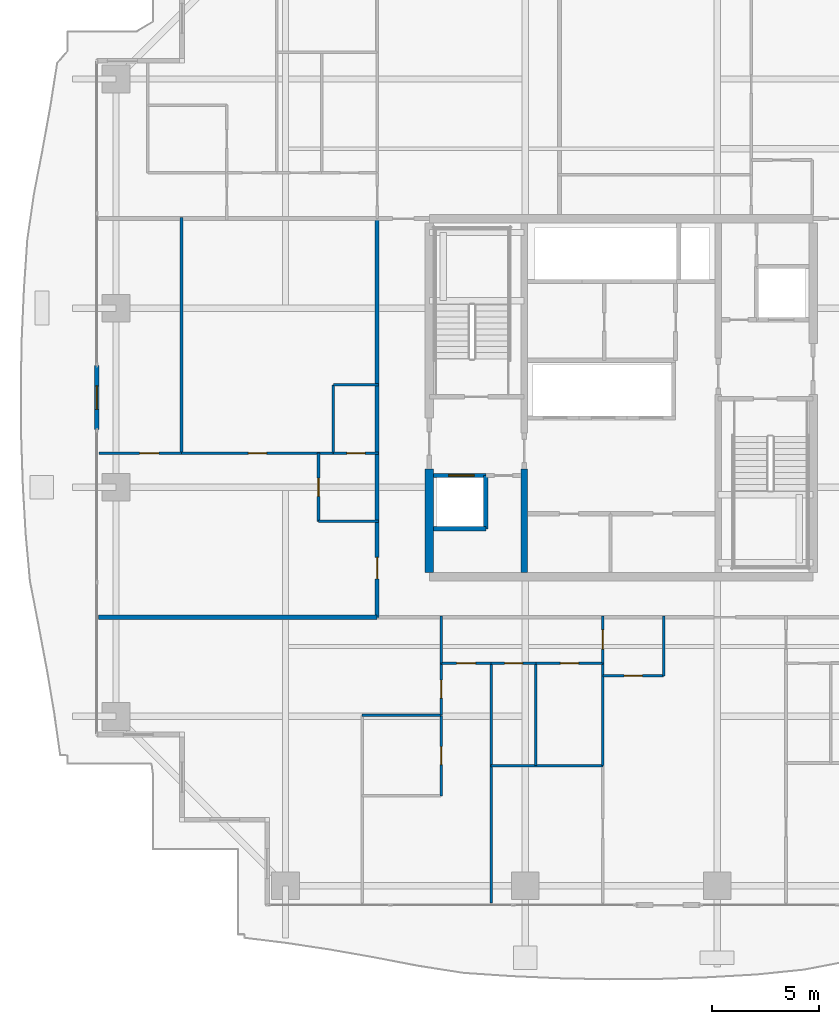
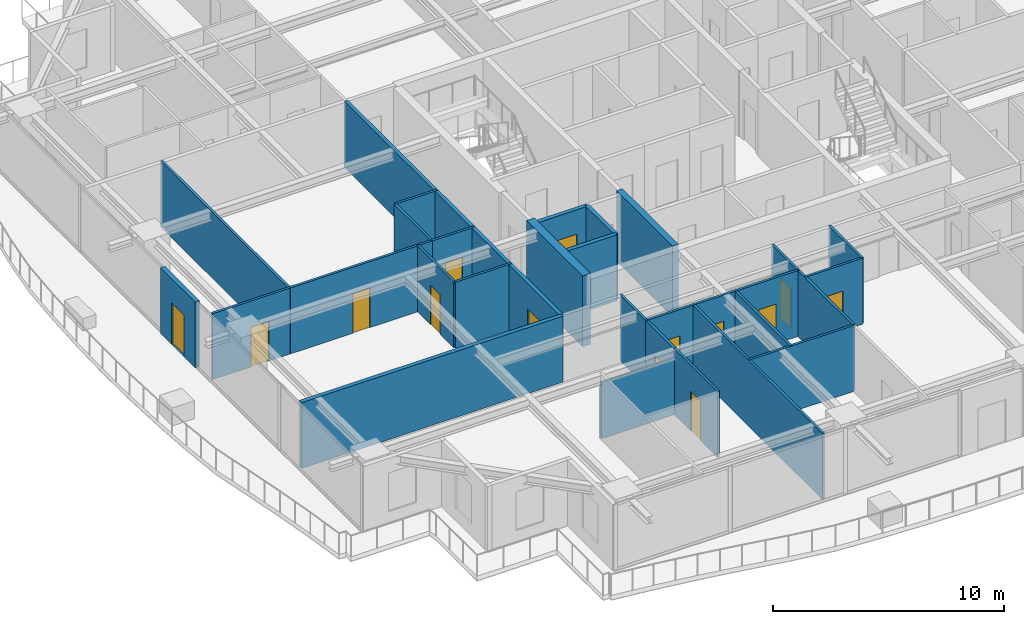
# One storey, part 24 of 34: 30 walls, 14 doors, 14 openings.
"""IFC4 building model written with IfcOpenShell, lengths in metres."""

from ifc_helpers import new_model, si_unit, direction, frame, frame_2d, origin, place, context, subcontext, project, spatial, rectangle, extrude, source, transform, mapped, material, layer, layer_set, type_object, element, fill, save


model = new_model("IFC4")

# Units and contexts
model_context = context("Model", 3, precision=1e-05, world=origin(), true_north=direction((0.0, 1.0)))
body_context = subcontext(model_context, "Body", "Model", "MODEL_VIEW")
ifc_project = project(units=[si_unit("LENGTHUNIT", "METRE"), si_unit("AREAUNIT", "SQUARE_METRE"), si_unit("VOLUMEUNIT", "CUBIC_METRE"), si_unit("PLANEANGLEUNIT", "RADIAN"), si_unit("MASSUNIT", "GRAM", prefix="KILO")], contexts=[model_context])

# Site, building, storey
site_placement = place(None, origin())
site = spatial("IfcSite", under=ifc_project, at=site_placement, CompositionType="ELEMENT")
building_placement = place(site_placement, origin())
building = spatial("IfcBuilding", under=site, at=building_placement, Name="Serunith Strait Residences", CompositionType="ELEMENT")
storey_placement = place(building_placement, frame((0.0, 0.0, 187.64990234375)))
storey = spatial("IfcBuildingStorey", under=building, at=storey_placement, Name="L47", CompositionType="ELEMENT", Elevation=187.64990234375)

# Wall, opening, door
ifc_material_1 = material(Name="Pale-Champagne Aluminium Insulated Panel", Category="aluminium")
ifc_layer_1 = layer(ifc_material_1, 0.219970703125, Name="Pale-Champagne Aluminium Insulated Panel")
ifc_layer_set_1 = layer_set([ifc_layer_1], Name="Pale-Champagne Aluminium Insulated Panel")
wall_type_1 = type_object("IfcWallType", Name="EW-ALUM-220", PredefinedType="ELEMENTEDWALL", material=ifc_layer_set_1)
wall_1_placement = place(storey_placement, frame((7.800048828125, 26.699951171875, 0.0), z_axis=(0.0, 0.0, 1.0), x_axis=(0.0, -1.0, 0.0)))
wall_1 = element("IfcWall", 1, at=wall_1_placement, inside=storey, type_object=wall_type_1, Name="L47 W Facade Pier Wall", PredefinedType="ELEMENTEDWALL", context=body_context, shape_type="SweptSolid", body=[
    extrude(rectangle(XDim=3.0, YDim=0.219970703125, at=frame_2d((1.5, 0.0))), origin(), (0.0, 0.0, 1.0), 3.47509765625),
])
opening_1_placement = place(wall_1_placement, frame((0.949951171875, 0.0, 0.0)))
opening_1 = element("IfcOpeningElement", 2, at=opening_1_placement, cuts=wall_1, Name="Opening ED-03", PredefinedType="OPENING", context=body_context, shape_type="SweptSolid", body=[
    extrude(rectangle(XDim=1.10009765625, YDim=2.199951171875, at=frame_2d((0.550048828125, 1.10009765625))), frame((0.0, 0.1201171875, 0.0), z_axis=(0.0, -1.0, 0.0), x_axis=(1.0, 0.0, 0.0)), (0.0, 0.0, 1.0), 0.239990234375),
])
ifc_material_2 = material(Name="Thermally-Broken Aluminium Glazed Balcony Door", Category="aluminium")
door_type_1 = type_object("IfcDoorType", Name="ED-BALC-1100", OperationType="NOTDEFINED", PredefinedType="DOOR", material=ifc_material_2)
shared_shape_1 = source(origin(), body_context, "Body", "SweptSolid", [
    extrude(rectangle(XDim=1.10009765625, YDim=2.199951171875, at=frame_2d((0.550048828125, 1.10009765625))), frame((0.0, 0.02490234375, 0.0), z_axis=(0.0, -1.0, 0.0), x_axis=(1.0, 0.0, 0.0)), (0.0, 0.0, 1.0), 0.050048828125),
])
door_1_placement = place(opening_1_placement, origin())
door_1 = element("IfcDoor", 3, at=door_1_placement, inside=storey, type_object=door_type_1, Name="L47 W Vertical-Forest Balcony Door", OperationType="SINGLE_SWING_LEFT", OverallHeight=2.199951171875, OverallWidth=1.10009765625, PredefinedType="DOOR", context=body_context, shape_type="MappedRepresentation", body=[
    mapped(shared_shape_1, transform((0.0, 0.0, 0.0), scale=1.0)),
])
fill(opening_1, door_1)

ifc_material_3 = material(Name="Fire-rated acoustic gypsum partition")
ifc_layer_2 = layer(ifc_material_3, 0.179931640625, Name="Fire-rated acoustic gypsum partition")
ifc_layer_set_2 = layer_set([ifc_layer_2], Name="Fire-rated acoustic gypsum partition")
wall_type_2 = type_object("IfcWallType", Name="IW-CORR-180", PredefinedType="PARTITIONING", material=ifc_layer_set_2)
wall_2_placement = place(storey_placement, frame((20.949951171875, 14.89990234375, 0.0), z_axis=(0.0, 0.0, 1.0), x_axis=(0.0, 1.0, 0.0)))
wall_2 = element("IfcWall", 4, at=wall_2_placement, inside=storey, type_object=wall_type_2, Name="L47 Partition Wall 025", PredefinedType="PARTITIONING", context=body_context, shape_type="SweptSolid", body=[
    extrude(rectangle(XDim=18.7001953125, YDim=0.179931640625, at=frame_2d((9.35009765625, 0.0))), origin(), (0.0, 0.0, 1.0), 3.489990234375),
])
opening_2_placement = place(wall_2_placement, frame((1.804931640625, 0.0, 0.0)))
opening_2 = element("IfcOpeningElement", 5, at=opening_2_placement, cuts=wall_2, Name="Opening D-APT1000", PredefinedType="OPENING", context=body_context, shape_type="SweptSolid", body=[
    extrude(rectangle(XDim=1.0, YDim=2.14990234375, at=frame_2d((0.5, 1.074951171875))), frame((0.0, 0.10009765625, 0.0), z_axis=(0.0, -1.0, 0.0), x_axis=(1.0, 0.0, 0.0)), (0.0, 0.0, 1.0), 0.199951171875),
])
ifc_material_4 = material(Name="Solid timber engineered fire door", Category="wood")
door_type_2 = type_object("IfcDoorType", Name="ID-APT-1000", OperationType="NOTDEFINED", PredefinedType="DOOR", material=ifc_material_4)
shared_shape_2 = source(origin(), body_context, "Body", "SweptSolid", [
    extrude(rectangle(XDim=1.0, YDim=2.14990234375, at=frame_2d((0.5, 1.074951171875))), frame((0.0, 0.02490234375, 0.0), z_axis=(0.0, -1.0, 0.0), x_axis=(1.0, 0.0, 0.0)), (0.0, 0.0, 1.0), 0.050048828125),
])
door_2_placement = place(opening_2_placement, origin())
door_2 = element("IfcDoor", 6, at=door_2_placement, inside=storey, type_object=door_type_2, Name="L47 Unit 04 Entrance Door", OperationType="SINGLE_SWING_RIGHT", OverallHeight=2.14990234375, OverallWidth=1.0, PredefinedType="DOOR", context=body_context, shape_type="MappedRepresentation", body=[
    mapped(shared_shape_2, transform((0.0, 0.0, 0.0), scale=1.0)),
])
fill(opening_2, door_2)

ifc_material_5 = material(Name="Lightweight steel-stud gypsum partition", Category="steel")
ifc_layer_3 = layer(ifc_material_5, 0.1201171875, Name="Lightweight steel-stud gypsum partition")
ifc_layer_set_3 = layer_set([ifc_layer_3], Name="Lightweight steel-stud gypsum partition")
wall_type_3 = type_object("IfcWallType", Name="IW-PART-120", PredefinedType="PARTITIONING", material=ifc_layer_set_3)
wall_3_placement = place(storey_placement, frame((31.5400390625, 12.14990234375, 0.0), z_axis=(0.0, 0.0, 1.0), x_axis=(1.0, 0.0, 0.0)))
wall_3 = element("IfcWall", 7, at=wall_3_placement, inside=storey, type_object=wall_type_3, Name="L47 Partition Wall 029", PredefinedType="PARTITIONING", context=body_context, shape_type="SweptSolid", body=[
    extrude(rectangle(XDim=2.849853515625, YDim=0.1201171875, at=frame_2d((1.4248046875, 0.0))), origin(), (0.0, 0.0, 1.0), 3.489990234375),
])
opening_3_placement = place(wall_3_placement, frame((1.0, 0.0, 0.0)))
opening_3 = element("IfcOpeningElement", 8, at=opening_3_placement, cuts=wall_3, Name="Opening D-RM850", PredefinedType="OPENING", context=body_context, shape_type="SweptSolid", body=[
    extrude(rectangle(XDim=0.85009765625, YDim=2.10009765625, at=frame_2d((0.425048828125, 1.050048828125))), frame((0.0, 0.070068359375, 0.0), z_axis=(0.0, -1.0, 0.0), x_axis=(1.0, 0.0, 0.0)), (0.0, 0.0, 1.0), 0.14013671875),
])
ifc_material_6 = material(Name="Engineered timber flush study and kitchen door", Category="wood")
door_type_3 = type_object("IfcDoorType", Name="ID-ROOM-850", OperationType="NOTDEFINED", PredefinedType="DOOR", material=ifc_material_6)
shared_shape_3 = source(origin(), body_context, "Body", "SweptSolid", [
    extrude(rectangle(XDim=0.85009765625, YDim=2.10009765625, at=frame_2d((0.425048828125, 1.050048828125))), frame((0.0, 0.02490234375, 0.0), z_axis=(0.0, -1.0, 0.0), x_axis=(1.0, 0.0, 0.0)), (0.0, 0.0, 1.0), 0.050048828125),
])
door_3_placement = place(opening_3_placement, origin())
door_3 = element("IfcDoor", 9, at=door_3_placement, inside=storey, type_object=door_type_3, Name="L47 Kitchen 4701 Door", OperationType="SINGLE_SWING_LEFT", OverallHeight=2.10009765625, OverallWidth=0.85009765625, PredefinedType="DOOR", context=body_context, shape_type="MappedRepresentation", body=[
    mapped(shared_shape_3, transform((0.0, 0.0, 0.0), scale=1.0)),
])
fill(opening_3, door_3)

# Wall
wall_4_placement = place(storey_placement, frame((34.389892578125, 12.14990234375, 0.0), z_axis=(0.0, 0.0, 1.0), x_axis=(0.0, 1.0, 0.0)))
element("IfcWall", 10, at=wall_4_placement, inside=storey, type_object=wall_type_3, Name="L47 Partition Wall 030", PredefinedType="PARTITIONING", context=body_context, shape_type="SweptSolid", body=[
    extrude(rectangle(XDim=2.81005859375, YDim=0.1201171875, at=frame_2d((1.405029296875, 0.0))), origin(), (0.0, 0.0, 1.0), 3.489990234375),
])

# Wall, opening, door
wall_5_placement = place(storey_placement, frame((31.5400390625, 12.75, 0.0), z_axis=(0.0, 0.0, 1.0), x_axis=(0.0, 1.0, 0.0)))
wall_5 = element("IfcWall", 11, at=wall_5_placement, inside=storey, type_object=wall_type_3, Name="L47 Partition Wall 031", PredefinedType="PARTITIONING", context=body_context, shape_type="SweptSolid", body=[
    extrude(rectangle(XDim=2.2099609375, YDim=0.1201171875, at=frame_2d((1.10498046875, 0.0))), origin(), (0.0, 0.0, 1.0), 3.489990234375),
])
opening_4_placement = place(wall_5_placement, frame((0.655029296875, 0.0, 0.0)))
opening_4 = element("IfcOpeningElement", 12, at=opening_4_placement, cuts=wall_5, Name="Opening D-RM900", PredefinedType="OPENING", context=body_context, shape_type="SweptSolid", body=[
    extrude(rectangle(XDim=0.89990234375, YDim=2.10009765625, at=frame_2d((0.449951171875, 1.050048828125))), frame((0.0, 0.070068359375, 0.0), z_axis=(0.0, -1.0, 0.0), x_axis=(1.0, 0.0, 0.0)), (0.0, 0.0, 1.0), 0.14013671875),
])
ifc_material_7 = material(Name="Engineered timber flush bedroom door", Category="wood")
door_type_4 = type_object("IfcDoorType", Name="ID-ROOM-900", OperationType="NOTDEFINED", PredefinedType="DOOR", material=ifc_material_7)
shared_shape_4 = source(origin(), body_context, "Body", "SweptSolid", [
    extrude(rectangle(XDim=0.89990234375, YDim=2.10009765625, at=frame_2d((0.449951171875, 1.050048828125))), frame((0.0, 0.02490234375, 0.0), z_axis=(0.0, -1.0, 0.0), x_axis=(1.0, 0.0, 0.0)), (0.0, 0.0, 1.0), 0.050048828125),
])
door_4_placement = place(opening_4_placement, origin())
door_4 = element("IfcDoor", 13, at=door_4_placement, inside=storey, type_object=door_type_4, Name="L47 Hall W 4701 Door", OperationType="SINGLE_SWING_RIGHT", OverallHeight=2.10009765625, OverallWidth=0.89990234375, PredefinedType="DOOR", context=body_context, shape_type="MappedRepresentation", body=[
    mapped(shared_shape_4, transform((0.0, 0.0, 0.0), scale=1.0)),
])
fill(opening_4, door_4)

# Walls
wall_6_placement = place(storey_placement, frame((31.5400390625, 7.947021484375, 0.0), z_axis=(0.0, 0.0, 1.0), x_axis=(0.0, 1.0, 0.0)))
element("IfcWall", 14, at=wall_6_placement, inside=storey, type_object=wall_type_3, Name="L47 Partition Wall 033", PredefinedType="PARTITIONING", context=body_context, shape_type="SweptSolid", body=[
    extrude(rectangle(XDim=4.801025390625, YDim=0.1201171875, at=frame_2d((2.400390625, 0.0))), origin(), (0.0, 0.0, 1.0), 3.489990234375),
])
wall_7_placement = place(storey_placement, frame((26.300048828125, 7.945068359375, 0.0), z_axis=(0.0, 0.0, 1.0), x_axis=(1.0, 0.0, 0.0)))
element("IfcWall", 15, at=wall_7_placement, inside=storey, type_object=wall_type_3, Name="L47 Partition Wall 034", PredefinedType="PARTITIONING", context=body_context, shape_type="SweptSolid", body=[
    extrude(rectangle(XDim=5.239990234375, YDim=0.1201171875, at=frame_2d((2.6201171875, 0.0))), origin(), (0.0, 0.0, 1.0), 3.489990234375),
])
wall_8_placement = place(storey_placement, frame((26.300048828125, 1.4951171875, 0.0), z_axis=(0.0, 0.0, 1.0), x_axis=(0.0, 1.0, 0.0)))
element("IfcWall", 16, at=wall_8_placement, inside=storey, type_object=wall_type_3, Name="L47 Partition Wall 035", PredefinedType="PARTITIONING", context=body_context, shape_type="SweptSolid", body=[
    extrude(rectangle(XDim=11.2548828125, YDim=0.1201171875, at=frame_2d((5.62744140625, 0.0))), origin(), (0.0, 0.0, 1.0), 3.489990234375),
])
wall_9_placement = place(storey_placement, frame((28.39990234375, 7.945068359375, 0.0), z_axis=(0.0, 0.0, 1.0), x_axis=(0.0, 1.0, 0.0)))
element("IfcWall", 17, at=wall_9_placement, inside=storey, type_object=wall_type_3, Name="L47 Partition Wall 036", PredefinedType="PARTITIONING", context=body_context, shape_type="SweptSolid", body=[
    extrude(rectangle(XDim=4.804931640625, YDim=0.1201171875, at=frame_2d((2.40234375, 0.0))), origin(), (0.0, 0.0, 1.0), 3.489990234375),
])

# Wall, opening, door
wall_10_placement = place(storey_placement, frame((26.300048828125, 12.75, 0.0), z_axis=(0.0, 0.0, 1.0), x_axis=(1.0, 0.0, 0.0)))
wall_10 = element("IfcWall", 18, at=wall_10_placement, inside=storey, type_object=wall_type_3, Name="L47 Partition Wall 037", PredefinedType="PARTITIONING", context=body_context, shape_type="SweptSolid", body=[
    extrude(rectangle(XDim=2.099853515625, YDim=0.1201171875, at=frame_2d((1.0498046875, 0.0))), origin(), (0.0, 0.0, 1.0), 3.489990234375),
])
opening_5_placement = place(wall_10_placement, frame((0.625, 0.0, 0.0)))
opening_5 = element("IfcOpeningElement", 19, at=opening_5_placement, cuts=wall_10, Name="Opening D-BTH850", PredefinedType="OPENING", context=body_context, shape_type="SweptSolid", body=[
    extrude(rectangle(XDim=0.85009765625, YDim=2.10009765625, at=frame_2d((0.425048828125, 1.050048828125))), frame((0.0, 0.070068359375, 0.0), z_axis=(0.0, -1.0, 0.0), x_axis=(1.0, 0.0, 0.0)), (0.0, 0.0, 1.0), 0.14013671875),
])
ifc_material_8 = material(Name="Moisture-resistant timber bathroom door", Category="wood")
door_type_5 = type_object("IfcDoorType", Name="ID-BATH-850", OperationType="NOTDEFINED", PredefinedType="DOOR", material=ifc_material_8)
door_5_placement = place(opening_5_placement, origin())
door_5 = element("IfcDoor", 20, at=door_5_placement, inside=storey, type_object=door_type_5, Name="L47 Bathroom 4701 Door", OperationType="SINGLE_SWING_RIGHT", OverallHeight=2.10009765625, OverallWidth=0.85009765625, PredefinedType="DOOR", context=body_context, shape_type="MappedRepresentation", body=[
    mapped(shared_shape_3, transform((0.0, 0.0, 0.0), scale=1.0)),
])
fill(opening_5, door_5)

wall_11_placement = place(storey_placement, frame((28.402099609375, 12.75, 0.0), z_axis=(0.0, 0.0, 1.0), x_axis=(1.0, 0.0, 0.0)))
wall_11 = element("IfcWall", 21, at=wall_11_placement, inside=storey, type_object=wall_type_3, Name="L47 Partition Wall 038", PredefinedType="PARTITIONING", context=body_context, shape_type="SweptSolid", body=[
    extrude(rectangle(XDim=3.137939453125, YDim=0.1201171875, at=frame_2d((1.56884765625, 0.0))), origin(), (0.0, 0.0, 1.0), 3.489990234375),
])
opening_6_placement = place(wall_11_placement, frame((1.14404296875, 0.0, 0.0)))
opening_6 = element("IfcOpeningElement", 22, at=opening_6_placement, cuts=wall_11, Name="Opening D-RM850", PredefinedType="OPENING", context=body_context, shape_type="SweptSolid", body=[
    extrude(rectangle(XDim=0.85009765625, YDim=2.10009765625, at=frame_2d((0.425048828125, 1.050048828125))), frame((0.0, 0.070068359375, 0.0), z_axis=(0.0, -1.0, 0.0), x_axis=(1.0, 0.0, 0.0)), (0.0, 0.0, 1.0), 0.14013671875),
])
door_6_placement = place(opening_6_placement, origin())
door_6 = element("IfcDoor", 23, at=door_6_placement, inside=storey, type_object=door_type_3, Name="L47 Formal Dining Room 4701 Door", OperationType="SINGLE_SWING_LEFT", OverallHeight=2.10009765625, OverallWidth=0.85009765625, PredefinedType="DOOR", context=body_context, shape_type="MappedRepresentation", body=[
    mapped(shared_shape_3, transform((0.0, 0.0, 0.0), scale=1.0)),
])
fill(opening_6, door_6)

wall_12_placement = place(storey_placement, frame((23.949951171875, 12.75, 0.0), z_axis=(0.0, 0.0, 1.0), x_axis=(1.0, 0.0, 0.0)))
wall_12 = element("IfcWall", 24, at=wall_12_placement, inside=storey, type_object=wall_type_3, Name="L47 Partition Wall 039", PredefinedType="PARTITIONING", context=body_context, shape_type="SweptSolid", body=[
    extrude(rectangle(XDim=2.34814453125, YDim=0.1201171875, at=frame_2d((1.174072265625, 0.0))), origin(), (0.0, 0.0, 1.0), 3.489990234375),
])
opening_7_placement = place(wall_12_placement, frame((0.72412109375, 0.0, 0.0)))
opening_7 = element("IfcOpeningElement", 25, at=opening_7_placement, cuts=wall_12, Name="Opening D-RM900", PredefinedType="OPENING", context=body_context, shape_type="SweptSolid", body=[
    extrude(rectangle(XDim=0.89990234375, YDim=2.10009765625, at=frame_2d((0.449951171875, 1.050048828125))), frame((0.0, 0.070068359375, 0.0), z_axis=(0.0, -1.0, 0.0), x_axis=(1.0, 0.0, 0.0)), (0.0, 0.0, 1.0), 0.14013671875),
])
door_7_placement = place(opening_7_placement, origin())
door_7 = element("IfcDoor", 26, at=door_7_placement, inside=storey, type_object=door_type_4, Name="L47 Master Bedroom W 4701 Door", OperationType="SINGLE_SWING_RIGHT", OverallHeight=2.10009765625, OverallWidth=0.89990234375, PredefinedType="DOOR", context=body_context, shape_type="MappedRepresentation", body=[
    mapped(shared_shape_4, transform((0.0, 0.0, 0.0), scale=1.0)),
])
fill(opening_7, door_7)

# Wall
wall_13_placement = place(storey_placement, frame((20.25, 10.302978515625, 0.0), z_axis=(0.0, 0.0, 1.0), x_axis=(1.0, 0.0, 0.0)))
element("IfcWall", 27, at=wall_13_placement, inside=storey, type_object=wall_type_3, Name="L47 Partition Wall 042", PredefinedType="PARTITIONING", context=body_context, shape_type="SweptSolid", body=[
    extrude(rectangle(XDim=3.699951171875, YDim=0.1201171875, at=frame_2d((1.85009765625, 0.0))), origin(), (0.0, 0.0, 1.0), 2.97216796875),
])

# Wall, opening, door
wall_14_placement = place(storey_placement, frame((23.949951171875, 6.51904296875, 0.0), z_axis=(0.0, 0.0, 1.0), x_axis=(0.0, 1.0, 0.0)))
wall_14 = element("IfcWall", 28, at=wall_14_placement, inside=storey, type_object=wall_type_3, Name="L47 Partition Wall 043", PredefinedType="PARTITIONING", context=body_context, shape_type="SweptSolid", body=[
    extrude(rectangle(XDim=3.783935546875, YDim=0.1201171875, at=frame_2d((1.89208984375, 0.0))), origin(), (0.0, 0.0, 1.0), 3.489990234375),
])
opening_8_placement = place(wall_14_placement, frame((1.467041015625, 0.0, 0.0)))
opening_8 = element("IfcOpeningElement", 29, at=opening_8_placement, cuts=wall_14, Name="Opening D-BTH850", PredefinedType="OPENING", context=body_context, shape_type="SweptSolid", body=[
    extrude(rectangle(XDim=0.85009765625, YDim=2.10009765625, at=frame_2d((0.425048828125, 1.050048828125))), frame((0.0, 0.070068359375, 0.0), z_axis=(0.0, -1.0, 0.0), x_axis=(1.0, 0.0, 0.0)), (0.0, 0.0, 1.0), 0.14013671875),
])
door_8_placement = place(opening_8_placement, origin())
door_8 = element("IfcDoor", 30, at=door_8_placement, inside=storey, type_object=door_type_5, Name="L47 En-suite Bathroom W 4701 Door", OperationType="SINGLE_SWING_LEFT", OverallHeight=2.10009765625, OverallWidth=0.85009765625, PredefinedType="DOOR", context=body_context, shape_type="MappedRepresentation", body=[
    mapped(shared_shape_3, transform((0.0, 0.0, 0.0), scale=1.0)),
])
fill(opening_8, door_8)

wall_15_placement = place(storey_placement, frame((23.949951171875, 10.304931640625, 0.0), z_axis=(0.0, 0.0, 1.0), x_axis=(0.0, 1.0, 0.0)))
wall_15 = element("IfcWall", 31, at=wall_15_placement, inside=storey, type_object=wall_type_3, Name="L47 Partition Wall 044", PredefinedType="PARTITIONING", context=body_context, shape_type="SweptSolid", body=[
    extrude(rectangle(XDim=2.445068359375, YDim=0.1201171875, at=frame_2d((1.22265625, 0.0))), origin(), (0.0, 0.0, 1.0), 3.489990234375),
])
opening_9_placement = place(wall_15_placement, frame((0.798095703125, 0.0, 0.0)))
opening_9 = element("IfcOpeningElement", 32, at=opening_9_placement, cuts=wall_15, Name="Opening D-RM850", PredefinedType="OPENING", context=body_context, shape_type="SweptSolid", body=[
    extrude(rectangle(XDim=0.85009765625, YDim=2.10009765625, at=frame_2d((0.425048828125, 1.050048828125))), frame((0.0, 0.070068359375, 0.0), z_axis=(0.0, -1.0, 0.0), x_axis=(1.0, 0.0, 0.0)), (0.0, 0.0, 1.0), 0.14013671875),
])
door_9_placement = place(opening_9_placement, origin())
door_9 = element("IfcDoor", 33, at=door_9_placement, inside=storey, type_object=door_type_3, Name="L47 Wardrobe W 4701 Door", OperationType="SINGLE_SWING_RIGHT", OverallHeight=2.10009765625, OverallWidth=0.85009765625, PredefinedType="DOOR", context=body_context, shape_type="MappedRepresentation", body=[
    mapped(shared_shape_3, transform((0.0, 0.0, 0.0), scale=1.0)),
])
fill(opening_9, door_9)

# Wall
wall_16_placement = place(storey_placement, frame((23.949951171875, 12.751953125, 0.0), z_axis=(0.0, 0.0, 1.0), x_axis=(0.0, 1.0, 0.0)))
element("IfcWall", 34, at=wall_16_placement, inside=storey, type_object=wall_type_3, Name="L47 Partition Wall 045", PredefinedType="PARTITIONING", context=body_context, shape_type="SweptSolid", body=[
    extrude(rectangle(XDim=2.2080078125, YDim=0.1201171875, at=frame_2d((1.10400390625, 0.0))), origin(), (0.0, 0.0, 1.0), 3.489990234375),
])

# Wall, opening, door
wall_17_placement = place(storey_placement, frame((18.199951171875, 19.39990234375, 0.0), z_axis=(0.0, 0.0, 1.0), x_axis=(0.0, 1.0, 0.0)))
wall_17 = element("IfcWall", 35, at=wall_17_placement, inside=storey, type_object=wall_type_3, Name="L47 Partition Wall 088", PredefinedType="PARTITIONING", context=body_context, shape_type="SweptSolid", body=[
    extrude(rectangle(XDim=3.2001953125, YDim=0.1201171875, at=frame_2d((1.60009765625, 0.0))), origin(), (0.0, 0.0, 1.0), 3.489990234375),
])
opening_10_placement = place(wall_17_placement, frame((1.175048828125, 0.0, 0.0)))
opening_10 = element("IfcOpeningElement", 36, at=opening_10_placement, cuts=wall_17, Name="Opening D-RM850", PredefinedType="OPENING", context=body_context, shape_type="SweptSolid", body=[
    extrude(rectangle(XDim=0.85009765625, YDim=2.10009765625, at=frame_2d((0.425048828125, 1.050048828125))), frame((0.0, 0.070068359375, 0.0), z_axis=(0.0, -1.0, 0.0), x_axis=(1.0, 0.0, 0.0)), (0.0, 0.0, 1.0), 0.14013671875),
])
door_10_placement = place(opening_10_placement, origin())
door_10 = element("IfcDoor", 37, at=door_10_placement, inside=storey, type_object=door_type_3, Name="L47 Kitchen 4704 Door", OperationType="SINGLE_SWING_RIGHT", OverallHeight=2.10009765625, OverallWidth=0.85009765625, PredefinedType="DOOR", context=body_context, shape_type="MappedRepresentation", body=[
    mapped(shared_shape_3, transform((0.0, 0.0, 0.0), scale=1.0)),
])
fill(opening_10, door_10)

# Wall
wall_18_placement = place(storey_placement, frame((18.199951171875, 19.39990234375, 0.0), z_axis=(0.0, 0.0, 1.0), x_axis=(1.0, 0.0, 0.0)))
element("IfcWall", 38, at=wall_18_placement, inside=storey, type_object=wall_type_3, Name="L47 Partition Wall 089", PredefinedType="PARTITIONING", context=body_context, shape_type="SweptSolid", body=[
    extrude(rectangle(XDim=2.81005859375, YDim=0.1201171875, at=frame_2d((1.405029296875, 0.0))), origin(), (0.0, 0.0, 1.0), 3.489990234375),
])

# Wall, opening, door
wall_19_placement = place(storey_placement, frame((7.89501953125, 22.60009765625, 0.0), z_axis=(0.0, 0.0, 1.0), x_axis=(1.0, 0.0, 0.0)))
wall_19 = element("IfcWall", 39, at=wall_19_placement, inside=storey, type_object=wall_type_3, Name="L47 Partition Wall 090", PredefinedType="PARTITIONING", context=body_context, shape_type="SweptSolid", body=[
    extrude(rectangle(XDim=3.87890625, YDim=0.1201171875, at=frame_2d((1.939453125, 0.0))), origin(), (0.0, 0.0, 1.0), 3.489990234375),
])
opening_11_placement = place(wall_19_placement, frame((1.91796875, 0.0, 0.0)))
opening_11 = element("IfcOpeningElement", 40, at=opening_11_placement, cuts=wall_19, Name="Opening D-RM900", PredefinedType="OPENING", context=body_context, shape_type="SweptSolid", body=[
    extrude(rectangle(XDim=0.89990234375, YDim=2.10009765625, at=frame_2d((0.449951171875, 1.050048828125))), frame((0.0, 0.070068359375, 0.0), z_axis=(0.0, -1.0, 0.0), x_axis=(1.0, 0.0, 0.0)), (0.0, 0.0, 1.0), 0.14013671875),
])
door_11_placement = place(opening_11_placement, origin())
door_11 = element("IfcDoor", 41, at=door_11_placement, inside=storey, type_object=door_type_4, Name="L47 Master Bedroom 1 4704 Door", OperationType="SINGLE_SWING_LEFT", OverallHeight=2.10009765625, OverallWidth=0.89990234375, PredefinedType="DOOR", context=body_context, shape_type="MappedRepresentation", body=[
    mapped(shared_shape_4, transform((0.0, 0.0, 0.0), scale=1.0)),
])
fill(opening_11, door_11)

# Walls
wall_20_placement = place(storey_placement, frame((11.77392578125, 22.60009765625, 0.0), z_axis=(0.0, 0.0, 1.0), x_axis=(0.0, 1.0, 0.0)))
element("IfcWall", 42, at=wall_20_placement, inside=storey, type_object=wall_type_3, Name="L47 Partition Wall 091", PredefinedType="PARTITIONING", context=body_context, shape_type="SweptSolid", body=[
    extrude(rectangle(XDim=11.059814453125, YDim=0.1201171875, at=frame_2d((5.52978515625, 0.0))), origin(), (0.0, 0.0, 1.0), 3.489990234375),
])
wall_21_placement = place(storey_placement, frame((18.89990234375, 22.60009765625, 0.0), z_axis=(0.0, 0.0, 1.0), x_axis=(0.0, 1.0, 0.0)))
element("IfcWall", 43, at=wall_21_placement, inside=storey, type_object=wall_type_3, Name="L47 Partition Wall 092", PredefinedType="PARTITIONING", context=body_context, shape_type="SweptSolid", body=[
    extrude(rectangle(XDim=3.199951171875, YDim=0.1201171875, at=frame_2d((1.60009765625, 0.0))), origin(), (0.0, 0.0, 1.0), 3.489990234375),
])
wall_22_placement = place(storey_placement, frame((18.89990234375, 25.800048828125, 0.0), z_axis=(0.0, 0.0, 1.0), x_axis=(1.0, 0.0, 0.0)))
element("IfcWall", 44, at=wall_22_placement, inside=storey, type_object=wall_type_3, Name="L47 Partition Wall 093", PredefinedType="PARTITIONING", context=body_context, shape_type="SweptSolid", body=[
    extrude(rectangle(XDim=2.110107421875, YDim=0.1201171875, at=frame_2d((1.05517578125, 0.0))), origin(), (0.0, 0.0, 1.0), 3.489990234375),
])

# Wall, opening, door
wall_23_placement = place(storey_placement, frame((11.77587890625, 22.60009765625, 0.0), z_axis=(0.0, 0.0, 1.0), x_axis=(1.0, 0.0, 0.0)))
wall_23 = element("IfcWall", 45, at=wall_23_placement, inside=storey, type_object=wall_type_3, Name="L47 Partition Wall 094", PredefinedType="PARTITIONING", context=body_context, shape_type="SweptSolid", body=[
    extrude(rectangle(XDim=7.1240234375, YDim=0.1201171875, at=frame_2d((3.56201171875, 0.0))), origin(), (0.0, 0.0, 1.0), 3.489990234375),
])
opening_12_placement = place(wall_23_placement, frame((3.136962890625, 0.0, 0.0)))
opening_12 = element("IfcOpeningElement", 46, at=opening_12_placement, cuts=wall_23, Name="Opening D-RM850", PredefinedType="OPENING", context=body_context, shape_type="SweptSolid", body=[
    extrude(rectangle(XDim=0.85009765625, YDim=2.10009765625, at=frame_2d((0.425048828125, 1.050048828125))), frame((0.0, 0.070068359375, 0.0), z_axis=(0.0, -1.0, 0.0), x_axis=(1.0, 0.0, 0.0)), (0.0, 0.0, 1.0), 0.14013671875),
])
door_12_placement = place(opening_12_placement, origin())
door_12 = element("IfcDoor", 47, at=door_12_placement, inside=storey, type_object=door_type_3, Name="L47 Walk-in Wardrobe 4704 Door", OperationType="SINGLE_SWING_RIGHT", OverallHeight=2.10009765625, OverallWidth=0.85009765625, PredefinedType="DOOR", context=body_context, shape_type="MappedRepresentation", body=[
    mapped(shared_shape_3, transform((0.0, 0.0, 0.0), scale=1.0)),
])
fill(opening_12, door_12)

wall_24_placement = place(storey_placement, frame((18.902099609375, 22.60009765625, 0.0), z_axis=(0.0, 0.0, 1.0), x_axis=(1.0, 0.0, 0.0)))
wall_24 = element("IfcWall", 48, at=wall_24_placement, inside=storey, type_object=wall_type_3, Name="L47 Partition Wall 095", PredefinedType="PARTITIONING", context=body_context, shape_type="SweptSolid", body=[
    extrude(rectangle(XDim=2.10791015625, YDim=0.1201171875, at=frame_2d((1.053955078125, 0.0))), origin(), (0.0, 0.0, 1.0), 3.489990234375),
])
opening_13_placement = place(wall_24_placement, frame((0.62890625, 0.0, 0.0)))
opening_13 = element("IfcOpeningElement", 49, at=opening_13_placement, cuts=wall_24, Name="Opening D-BTH850", PredefinedType="OPENING", context=body_context, shape_type="SweptSolid", body=[
    extrude(rectangle(XDim=0.85009765625, YDim=2.10009765625, at=frame_2d((0.425048828125, 1.050048828125))), frame((0.0, 0.070068359375, 0.0), z_axis=(0.0, -1.0, 0.0), x_axis=(1.0, 0.0, 0.0)), (0.0, 0.0, 1.0), 0.14013671875),
])
door_13_placement = place(opening_13_placement, origin())
door_13 = element("IfcDoor", 50, at=door_13_placement, inside=storey, type_object=door_type_5, Name="L47 Bathroom 4704 Door", OperationType="SINGLE_SWING_LEFT", OverallHeight=2.10009765625, OverallWidth=0.85009765625, PredefinedType="DOOR", context=body_context, shape_type="MappedRepresentation", body=[
    mapped(shared_shape_3, transform((0.0, 0.0, 0.0), scale=1.0)),
])
fill(opening_13, door_13)

# Wall
ifc_material_9 = material(Name="Twin-stud acoustic gypsum board partition")
ifc_layer_4 = layer(ifc_material_9, 0.199951171875, Name="Twin-stud acoustic gypsum board partition")
ifc_layer_set_4 = layer_set([ifc_layer_4], Name="Twin-stud acoustic gypsum board partition")
wall_type_4 = type_object("IfcWallType", Name="IW-PARTY-200", PredefinedType="PARTITIONING", material=ifc_layer_set_4)
wall_25_placement = place(storey_placement, frame((7.882080078125, 14.89990234375, 0.0), z_axis=(0.0, 0.0, 1.0), x_axis=(1.0, 0.0, 0.0)))
element("IfcWall", 51, at=wall_25_placement, inside=storey, type_object=wall_type_4, Name="L47 Partition Wall 020", PredefinedType="PARTITIONING", context=body_context, shape_type="SweptSolid", body=[
    extrude(rectangle(XDim=13.06787109375, YDim=0.199951171875, at=frame_2d((6.533935546875, 0.0))), origin(), (0.0, 0.0, 1.0), 3.489990234375),
])

# Wall, opening, door
ifc_material_10 = material(Name="Autoclaved aerated concrete blockwork", Category="masonry")
ifc_layer_5 = layer(ifc_material_10, 0.199951171875, Name="Autoclaved aerated concrete blockwork")
ifc_layer_set_5 = layer_set([ifc_layer_5], Name="Autoclaved aerated concrete blockwork")
wall_type_5 = type_object("IfcWallType", Name="IW-SHAFT-200", PredefinedType="STANDARD", material=ifc_layer_set_5)
wall_26_placement = place(storey_placement, frame((23.60009765625, 21.550048828125, 0.0), z_axis=(0.0, 0.0, 1.0), x_axis=(1.0, 0.0, 0.0)))
wall_26 = element("IfcWall", 52, at=wall_26_placement, inside=storey, type_object=wall_type_5, Name="L47 FL-1 North Shaft Wall", PredefinedType="STANDARD", context=body_context, shape_type="SweptSolid", body=[
    extrude(rectangle(XDim=2.449951171875, YDim=0.199951171875, at=frame_2d((1.22509765625, 0.0))), origin(), (0.0, 0.0, 1.0), 3.489990234375),
])
opening_14_placement = place(wall_26_placement, frame((0.699951171875, 0.0, 0.0)))
opening_14 = element("IfcOpeningElement", 53, at=opening_14_placement, cuts=wall_26, Name="Opening LD-FF1200", PredefinedType="OPENING", context=body_context, shape_type="SweptSolid", body=[
    extrude(rectangle(XDim=1.199951171875, YDim=2.199951171875, at=frame_2d((0.60009765625, 1.10009765625))), frame((0.0, 0.10986328125, 0.0), z_axis=(0.0, -1.0, 0.0), x_axis=(1.0, 0.0, 0.0)), (0.0, 0.0, 1.0), 0.219970703125),
])
ifc_material_11 = material(Name="Brushed stainless steel landing door", Category="steel")
door_type_6 = type_object("IfcDoorType", Name="LD-FF-1200", OperationType="DOUBLE_DOOR_SLIDING", PredefinedType="DOOR", material=ifc_material_11)
shared_shape_5 = source(origin(), body_context, "Body", "SweptSolid", [
    extrude(rectangle(XDim=1.199951171875, YDim=2.199951171875, at=frame_2d((0.60009765625, 1.10009765625))), frame((0.0, 0.02490234375, 0.0), z_axis=(0.0, -1.0, 0.0), x_axis=(1.0, 0.0, 0.0)), (0.0, 0.0, 1.0), 0.050048828125),
])
door_14_placement = place(opening_14_placement, origin())
door_14 = element("IfcDoor", 54, at=door_14_placement, inside=storey, type_object=door_type_6, Name="L47 FL-1 Landing Door", OperationType="DOUBLE_DOOR_SLIDING", OverallHeight=2.199951171875, OverallWidth=1.199951171875, PredefinedType="DOOR", context=body_context, shape_type="MappedRepresentation", body=[
    mapped(shared_shape_5, transform((0.0, 0.0, 0.0), scale=1.0)),
])
fill(opening_14, door_14)

# Walls
wall_27_placement = place(storey_placement, frame((26.050048828125, 19.050048828125, 0.0), z_axis=(0.0, 0.0, 1.0), x_axis=(0.0, 1.0, 0.0)))
element("IfcWall", 55, at=wall_27_placement, inside=storey, type_object=wall_type_5, Name="L47 Partition Wall 001", PredefinedType="STANDARD", context=body_context, shape_type="SweptSolid", body=[
    extrude(rectangle(XDim=2.5, YDim=0.199951171875, at=frame_2d((1.25, 0.0))), origin(), (0.0, 0.0, 1.0), 3.489990234375),
])
wall_28_placement = place(storey_placement, frame((23.60009765625, 19.050048828125, 0.0), z_axis=(0.0, 0.0, 1.0), x_axis=(1.0, 0.0, 0.0)))
element("IfcWall", 56, at=wall_28_placement, inside=storey, type_object=wall_type_5, Name="L47 Partition Wall 002", PredefinedType="STANDARD", context=body_context, shape_type="SweptSolid", body=[
    extrude(rectangle(XDim=2.449951171875, YDim=0.199951171875, at=frame_2d((1.22509765625, 0.0))), origin(), (0.0, 0.0, 1.0), 3.489990234375),
])
ifc_material_12 = material(Name="Concrete C70/85", Category="concrete")
ifc_layer_6 = layer(ifc_material_12, 0.300048828125, Name="Concrete C70/85")
ifc_layer_set_6 = layer_set([ifc_layer_6], Name="Concrete C70/85")
wall_type_6 = type_object("IfcWallType", Name="SW-300-C70", PredefinedType="SHEAR", material=ifc_layer_set_6)
wall_29_placement = place(storey_placement, frame((27.85009765625, 17.0, -0.260009765625), z_axis=(0.0, 0.0, 1.0), x_axis=(0.0, 1.0, 0.0)))
element("IfcWall", 57, at=wall_29_placement, inside=storey, type_object=wall_type_6, Name="L47 Core Internal West Web South Pier", PredefinedType="SHEAR", context=body_context, shape_type="SweptSolid", body=[
    extrude(rectangle(XDim=4.85009765625, YDim=0.300048828125, at=frame_2d((2.425048828125, 0.0))), origin(), (0.0, 0.0, 1.0), 3.748046875),
])
ifc_layer_7 = layer(ifc_material_12, 0.39990234375, Name="Concrete C70/85")
ifc_layer_set_7 = layer_set([ifc_layer_7], Name="Concrete C70/85")
wall_type_7 = type_object("IfcWallType", Name="SW-400-C70", PredefinedType="SHEAR", material=ifc_layer_set_7)
wall_30_placement = place(storey_placement, frame((23.39990234375, 17.0, -0.260009765625), z_axis=(0.0, 0.0, 1.0), x_axis=(0.0, 1.0, 0.0)))
element("IfcWall", 58, at=wall_30_placement, inside=storey, type_object=wall_type_7, Name="L47 Core West Shear Wall South Pier", PredefinedType="SHEAR", context=body_context, shape_type="SweptSolid", body=[
    extrude(rectangle(XDim=4.85009765625, YDim=0.39990234375, at=frame_2d((2.425048828125, 0.0))), origin(), (0.0, 0.0, 1.0), 3.748046875),
])

save(model, "model.ifc")
